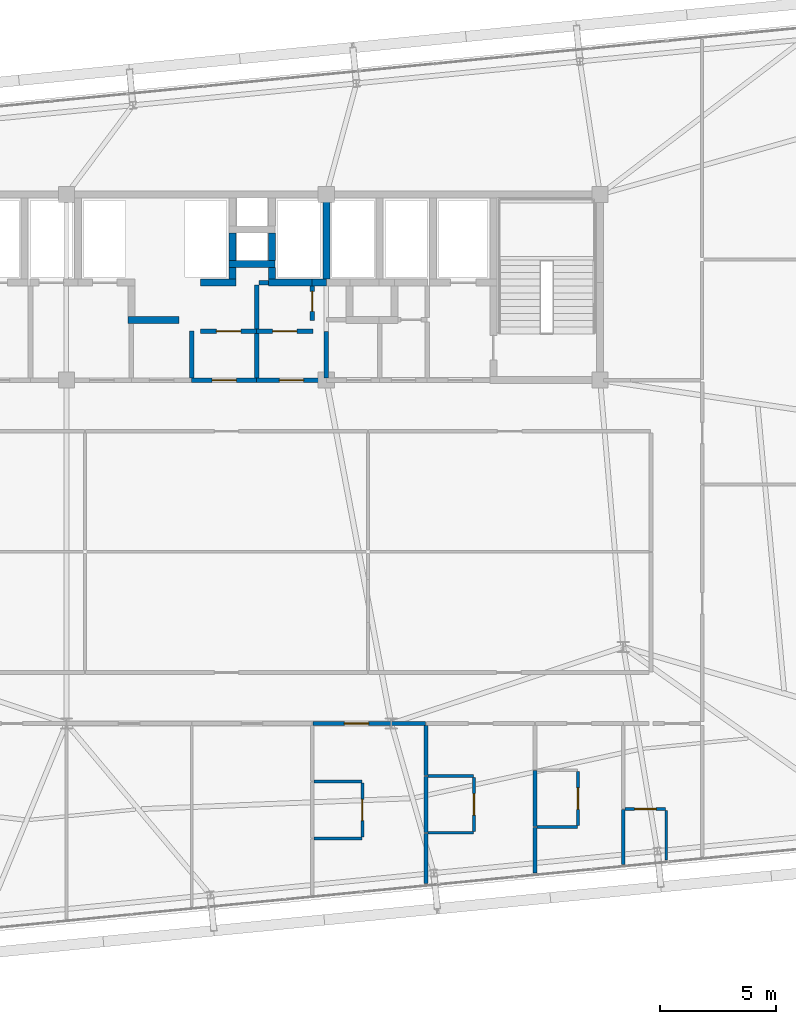
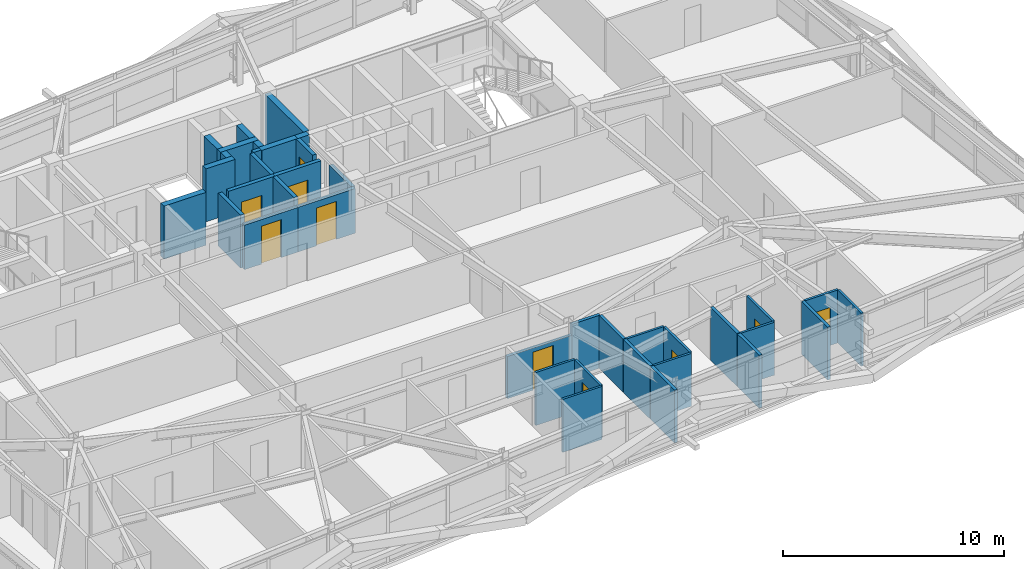
# One storey, part 48 of 54: 38 walls, 10 doors, 10 openings.
"""IFC4 building model written with IfcOpenShell, lengths in metres."""

from ifc_helpers import new_model, si_unit, direction, frame, frame_2d, origin, place, context, subcontext, project, spatial, rectangle, extrude, source, transform, mapped, material, layer, layer_set, type_object, element, fill, save


model = new_model("IFC4")

# Units and contexts
model_context = context("Model", 3, precision=1e-05, world=origin(), true_north=direction((0.0, 1.0)))
body_context = subcontext(model_context, "Body", "Model", "MODEL_VIEW")
ifc_project = project(units=[si_unit("LENGTHUNIT", "METRE"), si_unit("AREAUNIT", "SQUARE_METRE"), si_unit("VOLUMEUNIT", "CUBIC_METRE"), si_unit("PLANEANGLEUNIT", "RADIAN"), si_unit("MASSUNIT", "GRAM", prefix="KILO")], contexts=[model_context])

# Site, building, storey
site_placement = place(None, origin())
site = spatial("IfcSite", under=ifc_project, at=site_placement, CompositionType="ELEMENT")
building_placement = place(site_placement, origin())
building = spatial("IfcBuilding", under=site, at=building_placement, Name="Taldren Reach Tower", CompositionType="ELEMENT")
storey_placement = place(building_placement, frame((0.0, 0.0, 99.75)))
storey = spatial("IfcBuildingStorey", under=building, at=storey_placement, Name="L30", CompositionType="ELEMENT", Elevation=99.75)

# Wall
ifc_material_1 = material(Name="Concrete S50 (50 MPa)", Category="concrete")
ifc_layer_1 = layer(ifc_material_1, 0.199951171875)
ifc_layer_set_1 = layer_set([ifc_layer_1], Name="Concrete S50 (50 MPa)")
wall_type_1 = type_object("IfcWallType", Name="IW-CORE-200", PredefinedType="SOLIDWALL", material=ifc_layer_set_1)
shared_shape_1 = source(origin(), body_context, "Body", "SweptSolid", [
    extrude(rectangle(XDim=2.0, YDim=0.199951171875, at=frame_2d((1.0, 0.0))), origin(), (0.0, 0.0, 1.0), 2.469970703125),
])
wall_1_placement = place(storey_placement, frame((39.199951171875, 26.10009765625, 0.0), z_axis=(0.0, 0.0, 1.0), x_axis=(0.0, -1.0, 0.0)))
element("IfcWall", 1, at=wall_1_placement, inside=storey, type_object=wall_type_1, Name="Rear Core Shear Wall W-INT-L30-052", PredefinedType="SOLIDWALL", context=body_context, shape_type="MappedRepresentation", body=[
    mapped(shared_shape_1, transform((0.0, 0.0, 0.0), scale=1.0)),
])

# Wall, opening, door
ifc_material_2 = material(Name="Insulated Residential Stud Partition", Category="gypsum")
ifc_layer_2 = layer(ifc_material_2, 0.1201171875)
ifc_layer_set_2 = layer_set([ifc_layer_2], Name="Insulated Residential Stud Partition")
wall_type_2 = type_object("IfcWallType", Name="IW-PART-120", PredefinedType="PARTITIONING", material=ifc_layer_set_2)
shared_shape_2 = source(origin(), body_context, "Body", "SweptSolid", [
    extrude(rectangle(XDim=2.330078125, YDim=0.1201171875, at=frame_2d((1.1650390625, 0.0))), origin(), (0.0, 0.0, 1.0), 2.929931640625),
])
wall_2_placement = place(storey_placement, frame((40.756103515625, 4.30810546875, 0.0), z_axis=(0.0, 0.0, 1.0), x_axis=(0.0, 1.0, 0.0)))
wall_2 = element("IfcWall", 2, at=wall_2_placement, inside=storey, type_object=wall_type_2, Name="Interior Partition Wall W-INT-L30-110", PredefinedType="PARTITIONING", context=body_context, shape_type="MappedRepresentation", body=[
    mapped(shared_shape_2, transform((0.0, 0.0, 0.0), scale=1.0)),
])
shared_shape_3 = source(origin(), body_context, "Body", "SweptSolid", [
    extrude(rectangle(XDim=0.919921875, YDim=2.10009765625, at=frame_2d((0.4599609375, 1.050048828125))), frame((0.0, 0.070068359375, 0.0), z_axis=(0.0, -1.0, 0.0), x_axis=(1.0, 0.0, 0.0)), (0.0, 0.0, 1.0), 0.14013671875),
])
opening_1_placement = place(wall_2_placement, frame((0.705078125, 0.0, 0.0)))
opening_1 = element("IfcOpeningElement", 3, at=opening_1_placement, cuts=wall_2, Name="Opening DI-092", PredefinedType="OPENING", context=body_context, shape_type="MappedRepresentation", body=[
    mapped(shared_shape_3, transform((0.0, 0.0, 0.0), scale=1.0)),
])
ifc_material_3 = material(Name="Solid-Core Timber Suite Door", Category="wood")
door_type_1 = type_object("IfcDoorType", Name="ID-INT-092", OperationType="NOTDEFINED", PredefinedType="DOOR", material=ifc_material_3)
shared_shape_4 = source(origin(), body_context, "Body", "SweptSolid", [
    extrude(rectangle(XDim=0.919921875, YDim=2.10009765625, at=frame_2d((0.4599609375, 1.050048828125))), frame((0.0, 0.02490234375, 0.0), z_axis=(0.0, -1.0, 0.0), x_axis=(1.0, 0.0, 0.0)), (0.0, 0.0, 1.0), 0.050048828125),
])
door_1_placement = place(opening_1_placement, origin())
door_1 = element("IfcDoor", 4, at=door_1_placement, inside=storey, type_object=door_type_1, Name="Interior Door DR-L30-036", OperationType="SINGLE_SWING_LEFT", OverallHeight=2.10009765625, OverallWidth=0.919921875, PredefinedType="DOOR", context=body_context, shape_type="MappedRepresentation", body=[
    mapped(shared_shape_4, transform((0.0, 0.0, 0.0), scale=1.0)),
])
fill(opening_1, door_1)

wall_3_placement = place(storey_placement, frame((45.568115234375, 4.54833984375, 0.0), z_axis=(0.0, 0.0, 1.0), x_axis=(0.0, 1.0, 0.0)))
wall_3 = element("IfcWall", 5, at=wall_3_placement, inside=storey, type_object=wall_type_2, Name="Interior Partition Wall W-INT-L30-116", PredefinedType="PARTITIONING", context=body_context, shape_type="MappedRepresentation", body=[
    mapped(shared_shape_2, transform((0.0, 0.0, 0.0), scale=1.0)),
])
opening_2_placement = place(wall_3_placement, frame((0.705078125, 0.0, 0.0)))
opening_2 = element("IfcOpeningElement", 6, at=opening_2_placement, cuts=wall_3, Name="Opening DI-092", PredefinedType="OPENING", context=body_context, shape_type="MappedRepresentation", body=[
    mapped(shared_shape_3, transform((0.0, 0.0, 0.0), scale=1.0)),
])
door_2_placement = place(opening_2_placement, origin())
door_2 = element("IfcDoor", 7, at=door_2_placement, inside=storey, type_object=door_type_1, Name="Interior Door DR-L30-037", OperationType="SINGLE_SWING_RIGHT", OverallHeight=2.10009765625, OverallWidth=0.919921875, PredefinedType="DOOR", context=body_context, shape_type="MappedRepresentation", body=[
    mapped(shared_shape_4, transform((0.0, 0.0, 0.0), scale=1.0)),
])
fill(opening_2, door_2)

wall_4_placement = place(storey_placement, frame((50.050048828125, 4.797607421875, 0.0), z_axis=(0.0, 0.0, 1.0), x_axis=(0.0, 1.0, 0.0)))
wall_4 = element("IfcWall", 8, at=wall_4_placement, inside=storey, type_object=wall_type_2, Name="Interior Partition Wall W-INT-L30-122", PredefinedType="PARTITIONING", context=body_context, shape_type="MappedRepresentation", body=[
    mapped(shared_shape_2, transform((0.0, 0.0, 0.0), scale=1.0)),
])
opening_3_placement = place(wall_4_placement, frame((0.705078125, 0.0, 0.0)))
opening_3 = element("IfcOpeningElement", 9, at=opening_3_placement, cuts=wall_4, Name="Opening DI-092", PredefinedType="OPENING", context=body_context, shape_type="MappedRepresentation", body=[
    mapped(shared_shape_3, transform((0.0, 0.0, 0.0), scale=1.0)),
])
door_3_placement = place(opening_3_placement, origin())
door_3 = element("IfcDoor", 10, at=door_3_placement, inside=storey, type_object=door_type_1, Name="Interior Door DR-L30-038", OperationType="SINGLE_SWING_LEFT", OverallHeight=2.10009765625, OverallWidth=0.919921875, PredefinedType="DOOR", context=body_context, shape_type="MappedRepresentation", body=[
    mapped(shared_shape_4, transform((0.0, 0.0, 0.0), scale=1.0)),
])
fill(opening_3, door_3)

# Wall
shared_shape_5 = source(origin(), body_context, "Body", "SweptSolid", [
    extrude(rectangle(XDim=1.749755859375, YDim=0.1201171875, at=frame_2d((0.875, 0.0))), origin(), (0.0, 0.0, 1.0), 2.929931640625),
])
wall_5_placement = place(storey_placement, frame((48.280029296875, 4.73779296875, 0.0), z_axis=(0.0, 0.0, 1.0), x_axis=(1.0, 0.0, 0.0)))
element("IfcWall", 11, at=wall_5_placement, inside=storey, type_object=wall_type_2, Name="Interior Partition Wall W-INT-L30-123", PredefinedType="PARTITIONING", context=body_context, shape_type="MappedRepresentation", body=[
    mapped(shared_shape_5, transform((0.0, 0.0, 0.0), scale=1.0)),
])

# Wall, opening, door
wall_6_placement = place(storey_placement, frame((53.829833984375, 5.51025390625, 0.0), z_axis=(0.0, 0.0, 1.0), x_axis=(-1.0, 0.0, 0.0)))
wall_6 = element("IfcWall", 12, at=wall_6_placement, inside=storey, type_object=wall_type_2, Name="Interior Partition Wall W-INT-L30-128", PredefinedType="PARTITIONING", context=body_context, shape_type="MappedRepresentation", body=[
    mapped(shared_shape_5, transform((0.0, 0.0, 0.0), scale=1.0)),
])
opening_4_placement = place(wall_6_placement, frame((0.414794921875, 0.0, 0.0)))
opening_4 = element("IfcOpeningElement", 13, at=opening_4_placement, cuts=wall_6, Name="Opening DI-092", PredefinedType="OPENING", context=body_context, shape_type="MappedRepresentation", body=[
    mapped(shared_shape_3, transform((0.0, 0.0, 0.0), scale=1.0)),
])
door_4_placement = place(opening_4_placement, origin())
door_4 = element("IfcDoor", 14, at=door_4_placement, inside=storey, type_object=door_type_1, Name="Interior Door DR-L30-039", OperationType="SINGLE_SWING_RIGHT", OverallHeight=2.10009765625, OverallWidth=0.919921875, PredefinedType="DOOR", context=body_context, shape_type="MappedRepresentation", body=[
    mapped(shared_shape_4, transform((0.0, 0.0, 0.0), scale=1.0)),
])
fill(opening_4, door_4)

# Walls
ifc_material_4 = material(Name="Fire-Rated Acoustic Plasterboard Stud Wall", Category="gypsum")
ifc_layer_3 = layer(ifc_material_4, 0.159912109375)
ifc_layer_set_3 = layer_set([ifc_layer_3], Name="Fire-Rated Acoustic Plasterboard Stud Wall")
wall_type_3 = type_object("IfcWallType", Name="IW-FIRE-160", PredefinedType="PARTITIONING", material=ifc_layer_set_3)
shared_shape_6 = source(origin(), body_context, "Body", "SweptSolid", [
    extrude(rectangle(XDim=2.40966796875, YDim=0.159912109375, at=frame_2d((1.204833984375, 0.0))), origin(), (0.0, 0.0, 1.0), 2.929931640625),
])
for number, where, z_axis, x_axis, name in (
    (15, (43.5, 6.918212890625, 0.0), (0.0, 0.0, 1.0), (0.0, -1.0, 0.0), "Interior Partition Wall W-INT-L30-115"),
    (16, (48.199951171875, 7.16748046875, 0.0), (0.0, 0.0, 1.0), (0.0, -1.0, 0.0), "Interior Partition Wall W-INT-L30-121"),
):
    element("IfcWall", number, at=place(storey_placement, frame(where, z_axis=z_axis, x_axis=x_axis)), inside=storey, type_object=wall_type_3, Name=name, PredefinedType="PARTITIONING", context=body_context, shape_type="MappedRepresentation", body=[
        mapped(shared_shape_6, transform((0.0, 0.0, 0.0), scale=1.0)),
    ])
shared_shape_7 = source(origin(), body_context, "Body", "SweptSolid", [
    extrude(rectangle(XDim=1.9677734375, YDim=0.1201171875, at=frame_2d((0.98388671875, 0.0))), origin(), (0.0, 0.0, 1.0), 2.929931640625),
])
for number, where, z_axis, x_axis, name in (
    (17, (43.580078125, 4.48828125, 0.0), (0.0, 0.0, 1.0), (1.0, 0.0, 0.0), "Interior Partition Wall W-INT-L30-117"),
    (18, (45.5478515625, 6.9384765625, 0.0), (0.0, 0.0, 1.0), (-1.0, 0.0, 0.0), "Interior Partition Wall W-INT-L30-118"),
):
    element("IfcWall", number, at=place(storey_placement, frame(where, z_axis=z_axis, x_axis=x_axis)), inside=storey, type_object=wall_type_2, Name=name, PredefinedType="PARTITIONING", context=body_context, shape_type="MappedRepresentation", body=[
        mapped(shared_shape_7, transform((0.0, 0.0, 0.0), scale=1.0)),
    ])
shared_shape_8 = source(origin(), body_context, "Body", "SweptSolid", [
    extrude(rectangle(XDim=2.02001953125, YDim=0.199951171875, at=frame_2d((1.010009765625, 0.0))), origin(), (0.0, 0.0, 1.0), 2.929931640625),
])
wall_7_placement = place(storey_placement, frame((33.39990234375, 26.1201171875, 0.0), z_axis=(0.0, 0.0, 1.0), x_axis=(0.0, -1.0, 0.0)))
element("IfcWall", 19, at=wall_7_placement, inside=storey, type_object=wall_type_1, Name="Rear Core Shear Wall W-INT-L30-044", PredefinedType="SOLIDWALL", context=body_context, shape_type="MappedRepresentation", body=[
    mapped(shared_shape_8, transform((0.0, 0.0, 0.0), scale=1.0)),
])

# Wall, opening, door
shared_shape_9 = source(origin(), body_context, "Body", "SweptSolid", [
    extrude(rectangle(XDim=2.419921875, YDim=0.199951171875, at=frame_2d((1.2099609375, 0.0))), origin(), (0.0, 0.0, 1.0), 2.929931640625),
])
wall_8_placement = place(storey_placement, frame((33.780029296875, 26.10009765625, 0.0), z_axis=(0.0, 0.0, 1.0), x_axis=(1.0, 0.0, 0.0)))
wall_8 = element("IfcWall", 20, at=wall_8_placement, inside=storey, type_object=wall_type_1, Name="Rear Core Shear Wall W-INT-L30-046", PredefinedType="SOLIDWALL", context=body_context, shape_type="MappedRepresentation", body=[
    mapped(shared_shape_9, transform((0.0, 0.0, 0.0), scale=1.0)),
])
shared_shape_10 = source(origin(), body_context, "Body", "SweptSolid", [
    extrude(rectangle(XDim=1.050048828125, YDim=2.10009765625, at=frame_2d((0.52490234375, 1.050048828125))), frame((0.0, 0.10986328125, 0.0), z_axis=(0.0, -1.0, 0.0), x_axis=(1.0, 0.0, 0.0)), (0.0, 0.0, 1.0), 0.219970703125),
])
opening_5_placement = place(wall_8_placement, frame((0.68505859375, 0.0, 0.0)))
opening_5 = element("IfcOpeningElement", 21, at=opening_5_placement, cuts=wall_8, Name="Opening DF-105", PredefinedType="OPENING", context=body_context, shape_type="MappedRepresentation", body=[
    mapped(shared_shape_10, transform((0.0, 0.0, 0.0), scale=1.0)),
])
ifc_material_5 = material(Name="Fire-Rated Care and Stair Exit Door")
door_type_2 = type_object("IfcDoorType", Name="ID-FIRE-105", OperationType="NOTDEFINED", PredefinedType="DOOR", material=ifc_material_5)
shared_shape_11 = source(origin(), body_context, "Body", "SweptSolid", [
    extrude(rectangle(XDim=1.050048828125, YDim=2.10009765625, at=frame_2d((0.52490234375, 1.050048828125))), frame((0.0, 0.02490234375, 0.0), z_axis=(0.0, -1.0, 0.0), x_axis=(1.0, 0.0, 0.0)), (0.0, 0.0, 1.0), 0.050048828125),
])
door_5_placement = place(opening_5_placement, origin())
door_5 = element("IfcDoor", 22, at=door_5_placement, inside=storey, type_object=door_type_2, Name="Interior Door DR-L30-007", OperationType="SINGLE_SWING_RIGHT", OverallHeight=2.10009765625, OverallWidth=1.050048828125, PredefinedType="DOOR", context=body_context, shape_type="MappedRepresentation", body=[
    mapped(shared_shape_11, transform((0.0, 0.0, 0.0), scale=1.0)),
])
fill(opening_5, door_5)

# Wall
shared_shape_12 = source(origin(), body_context, "Body", "SweptSolid", [
    extrude(rectangle(XDim=1.89990234375, YDim=0.199951171875, at=frame_2d((0.949951171875, 0.0))), origin(), (0.0, 0.0, 1.0), 2.929931640625),
])
wall_9_placement = place(storey_placement, frame((36.199951171875, 26.0, 0.0), z_axis=(0.0, 0.0, 1.0), x_axis=(0.0, -1.0, 0.0)))
element("IfcWall", 23, at=wall_9_placement, inside=storey, type_object=wall_type_1, Name="Rear Core Shear Wall W-INT-L30-047", PredefinedType="SOLIDWALL", context=body_context, shape_type="MappedRepresentation", body=[
    mapped(shared_shape_12, transform((0.0, 0.0, 0.0), scale=1.0)),
])

# Wall, opening, door
shared_shape_13 = source(origin(), body_context, "Body", "SweptSolid", [
    extrude(rectangle(XDim=2.800048828125, YDim=0.199951171875, at=frame_2d((1.39990234375, 0.0))), origin(), (0.0, 0.0, 1.0), 2.469970703125),
])
wall_10_placement = place(storey_placement, frame((36.199951171875, 24.0, 0.0), z_axis=(0.0, 0.0, 1.0), x_axis=(-1.0, 0.0, 0.0)))
wall_10 = element("IfcWall", 24, at=wall_10_placement, inside=storey, type_object=wall_type_1, Name="Rear Core Shear Wall W-INT-L30-048", PredefinedType="SOLIDWALL", context=body_context, shape_type="MappedRepresentation", body=[
    mapped(shared_shape_13, transform((0.0, 0.0, 0.0), scale=1.0)),
])
opening_6_placement = place(wall_10_placement, frame((0.875, 0.0, 0.0)))
opening_6 = element("IfcOpeningElement", 25, at=opening_6_placement, cuts=wall_10, Name="Opening DF-105", PredefinedType="OPENING", context=body_context, shape_type="MappedRepresentation", body=[
    mapped(shared_shape_10, transform((0.0, 0.0, 0.0), scale=1.0)),
])
door_6_placement = place(opening_6_placement, frame((1.050048828125, 0.0, 0.0), z_axis=(0.0, 0.0, 1.0), x_axis=(-1.0, 0.0, 0.0)))
door_6 = element("IfcDoor", 26, at=door_6_placement, inside=storey, type_object=door_type_2, Name="Interior Door DR-L30-008", OperationType="SINGLE_SWING_RIGHT", OverallHeight=2.10009765625, OverallWidth=1.050048828125, PredefinedType="DOOR", context=body_context, shape_type="MappedRepresentation", body=[
    mapped(shared_shape_11, transform((0.0, 0.0, 0.0), scale=1.0)),
])
fill(opening_6, door_6)

# Wall
shared_shape_14 = source(origin(), body_context, "Body", "SweptSolid", [
    extrude(rectangle(XDim=1.900146484375, YDim=0.199951171875, at=frame_2d((0.9501953125, 0.0))), origin(), (0.0, 0.0, 1.0), 2.929931640625),
])
wall_11_placement = place(storey_placement, frame((36.199951171875, 28.10009765625, 0.0), z_axis=(0.0, 0.0, 1.0), x_axis=(0.0, -1.0, 0.0)))
element("IfcWall", 27, at=wall_11_placement, inside=storey, type_object=wall_type_1, Name="Rear Core Shear Wall W-INT-L30-049", PredefinedType="SOLIDWALL", context=body_context, shape_type="MappedRepresentation", body=[
    mapped(shared_shape_14, transform((0.0, 0.0, 0.0), scale=1.0)),
])

# Wall, opening, door
shared_shape_15 = source(origin(), body_context, "Body", "SweptSolid", [
    extrude(rectangle(XDim=2.420166015625, YDim=0.199951171875, at=frame_2d((1.2099609375, 0.0))), origin(), (0.0, 0.0, 1.0), 2.929931640625),
])
wall_12_placement = place(storey_placement, frame((36.199951171875, 26.10009765625, 0.0), z_axis=(0.0, 0.0, 1.0), x_axis=(1.0, 0.0, 0.0)))
wall_12 = element("IfcWall", 28, at=wall_12_placement, inside=storey, type_object=wall_type_1, Name="Rear Core Shear Wall W-INT-L30-051", PredefinedType="SOLIDWALL", context=body_context, shape_type="MappedRepresentation", body=[
    mapped(shared_shape_15, transform((0.0, 0.0, 0.0), scale=1.0)),
])
opening_7_placement = place(wall_12_placement, frame((0.68505859375, 0.0, 0.0)))
opening_7 = element("IfcOpeningElement", 29, at=opening_7_placement, cuts=wall_12, Name="Opening DF-105", PredefinedType="OPENING", context=body_context, shape_type="MappedRepresentation", body=[
    mapped(shared_shape_10, transform((0.0, 0.0, 0.0), scale=1.0)),
])
door_7_placement = place(opening_7_placement, origin())
door_7 = element("IfcDoor", 30, at=door_7_placement, inside=storey, type_object=door_type_2, Name="Interior Door DR-L30-009", OperationType="SINGLE_SWING_RIGHT", OverallHeight=2.10009765625, OverallWidth=1.050048828125, PredefinedType="DOOR", context=body_context, shape_type="MappedRepresentation", body=[
    mapped(shared_shape_11, transform((0.0, 0.0, 0.0), scale=1.0)),
])
fill(opening_7, door_7)

shared_shape_16 = source(origin(), body_context, "Body", "SweptSolid", [
    extrude(rectangle(XDim=3.0, YDim=0.199951171875, at=frame_2d((1.5, 0.0))), origin(), (0.0, 0.0, 1.0), 2.469970703125),
])
wall_13_placement = place(storey_placement, frame((39.199951171875, 24.0, 0.0), z_axis=(0.0, 0.0, 1.0), x_axis=(-1.0, 0.0, 0.0)))
wall_13 = element("IfcWall", 31, at=wall_13_placement, inside=storey, type_object=wall_type_1, Name="Rear Core Shear Wall W-INT-L30-053", PredefinedType="SOLIDWALL", context=body_context, shape_type="MappedRepresentation", body=[
    mapped(shared_shape_16, transform((0.0, 0.0, 0.0), scale=1.0)),
])
opening_8_placement = place(wall_13_placement, frame((0.97509765625, 0.0, 0.0)))
opening_8 = element("IfcOpeningElement", 32, at=opening_8_placement, cuts=wall_13, Name="Opening DF-105", PredefinedType="OPENING", context=body_context, shape_type="MappedRepresentation", body=[
    mapped(shared_shape_10, transform((0.0, 0.0, 0.0), scale=1.0)),
])
door_8_placement = place(opening_8_placement, frame((1.050048828125, 0.0, 0.0), z_axis=(0.0, 0.0, 1.0), x_axis=(-1.0, 0.0, 0.0)))
door_8 = element("IfcDoor", 33, at=door_8_placement, inside=storey, type_object=door_type_2, Name="Interior Door DR-L30-010", OperationType="SINGLE_SWING_RIGHT", OverallHeight=2.10009765625, OverallWidth=1.050048828125, PredefinedType="DOOR", context=body_context, shape_type="MappedRepresentation", body=[
    mapped(shared_shape_11, transform((0.0, 0.0, 0.0), scale=1.0)),
])
fill(opening_8, door_8)

# Walls
shared_shape_17 = source(origin(), body_context, "Body", "SweptSolid", [
    extrude(rectangle(XDim=2.055908203125, YDim=0.1201171875, at=frame_2d((1.02783203125, 0.0))), origin(), (0.0, 0.0, 1.0), 2.929931640625),
])
for number, where, z_axis, x_axis, name in (
    (34, (38.679931640625, 4.248291015625, 0.0), (0.0, 0.0, 1.0), (1.0, 0.0, 0.0), "Interior Partition Wall W-INT-L30-111"),
    (35, (40.73583984375, 6.6982421875, 0.0), (0.0, 0.0, 1.0), (-1.0, 0.0, 0.0), "Interior Partition Wall W-INT-L30-112"),
):
    element("IfcWall", number, at=place(storey_placement, frame(where, z_axis=z_axis, x_axis=x_axis)), inside=storey, type_object=wall_type_2, Name=name, PredefinedType="PARTITIONING", context=body_context, shape_type="MappedRepresentation", body=[
        mapped(shared_shape_17, transform((0.0, 0.0, 0.0), scale=1.0)),
    ])
ifc_material_6 = material(Name="Concrete S65 (65 MPa)", Category="concrete")
ifc_layer_4 = layer(ifc_material_6, 0.300048828125)
ifc_layer_set_4 = layer_set([ifc_layer_4], Name="Concrete S65 (65 MPa)")
wall_type_4 = type_object("IfcWallType", Name="IW-CORE-300", PredefinedType="SHEAR", material=ifc_layer_set_4)
shared_shape_18 = source(origin(), body_context, "Body", "SweptSolid", [
    extrude(rectangle(XDim=3.5, YDim=0.300048828125, at=frame_2d((1.75, 0.0))), origin(), (0.0, 0.0, 1.0), 2.929931640625),
])
wall_14_placement = place(storey_placement, frame((39.199951171875, 28.35009765625, 0.0), z_axis=(0.0, 0.0, 1.0), x_axis=(0.0, 1.0, 0.0)))
element("IfcWall", 36, at=wall_14_placement, inside=storey, type_object=wall_type_4, Name="Rear Core Shear Wall W-INT-L30-037", PredefinedType="SHEAR", context=body_context, shape_type="MappedRepresentation", body=[
    mapped(shared_shape_18, transform((0.0, 0.0, 0.0), scale=1.0)),
])
shared_shape_19 = source(origin(), body_context, "Body", "SweptSolid", [
    extrude(rectangle(XDim=2.0, YDim=0.300048828125, at=frame_2d((1.0, 0.0))), origin(), (0.0, 0.0, 1.0), 2.929931640625),
])
wall_15_placement = place(storey_placement, frame((35.0, 29.0, 0.0), z_axis=(0.0, 0.0, 1.0), x_axis=(1.0, 0.0, 0.0)))
element("IfcWall", 37, at=wall_15_placement, inside=storey, type_object=wall_type_4, Name="Rear Core Shear Wall W-INT-L30-021", PredefinedType="SHEAR", context=body_context, shape_type="MappedRepresentation", body=[
    mapped(shared_shape_19, transform((0.0, 0.0, 0.0), scale=1.0)),
])
shared_shape_20 = source(origin(), body_context, "Body", "SweptSolid", [
    extrude(rectangle(XDim=1.2001953125, YDim=0.300048828125, at=frame_2d((0.60009765625, 0.0))), origin(), (0.0, 0.0, 1.0), 2.929931640625),
])
for number, where, z_axis, x_axis, name in (
    (38, (35.14990234375, 30.35009765625, 0.0), (0.0, 0.0, 1.0), (0.0, -1.0, 0.0), "Rear Core Shear Wall W-INT-L30-019"),
    (39, (36.85009765625, 29.14990234375, 0.0), (0.0, 0.0, 1.0), (0.0, 1.0, 0.0), "Rear Core Shear Wall W-INT-L30-020"),
):
    element("IfcWall", number, at=place(storey_placement, frame(where, z_axis=z_axis, x_axis=x_axis)), inside=storey, type_object=wall_type_4, Name=name, PredefinedType="SHEAR", context=body_context, shape_type="MappedRepresentation", body=[
        mapped(shared_shape_20, transform((0.0, 0.0, 0.0), scale=1.0)),
    ])
shared_shape_21 = source(origin(), body_context, "Body", "SweptSolid", [
    extrude(rectangle(XDim=2.2001953125, YDim=0.300048828125, at=frame_2d((1.10009765625, 0.0))), origin(), (0.0, 0.0, 1.0), 2.929931640625),
])
wall_16_placement = place(storey_placement, frame((30.64990234375, 26.60009765625, 0.0), z_axis=(0.0, 0.0, 1.0), x_axis=(1.0, 0.0, 0.0)))
element("IfcWall", 40, at=wall_16_placement, inside=storey, type_object=wall_type_4, Name="Rear Core Shear Wall W-INT-L30-023", PredefinedType="SHEAR", context=body_context, shape_type="MappedRepresentation", body=[
    mapped(shared_shape_21, transform((0.0, 0.0, 0.0), scale=1.0)),
])
shared_shape_22 = source(origin(), body_context, "Body", "SweptSolid", [
    extrude(rectangle(XDim=1.52001953125, YDim=0.300048828125, at=frame_2d((0.760009765625, 0.0))), origin(), (0.0, 0.0, 1.0), 2.929931640625),
])
wall_17_placement = place(storey_placement, frame((33.780029296875, 28.199951171875, 0.0), z_axis=(0.0, 0.0, 1.0), x_axis=(1.0, 0.0, 0.0)))
element("IfcWall", 41, at=wall_17_placement, inside=storey, type_object=wall_type_4, Name="Rear Core Shear Wall W-INT-L30-035", PredefinedType="SHEAR", context=body_context, shape_type="MappedRepresentation", body=[
    mapped(shared_shape_22, transform((0.0, 0.0, 0.0), scale=1.0)),
])
shared_shape_23 = source(origin(), body_context, "Body", "SweptSolid", [
    extrude(rectangle(XDim=0.5, YDim=0.300048828125, at=frame_2d((0.25, 0.0))), origin(), (0.0, 0.0, 1.0), 2.929931640625),
])
for number, where, z_axis, x_axis, name in (
    (42, (35.14990234375, 28.35009765625, 0.0), (0.0, 0.0, 1.0), (0.0, 1.0, 0.0), "Rear Core Shear Wall W-INT-L30-036"),
    (43, (36.85009765625, 28.85009765625, 0.0), (0.0, 0.0, 1.0), (0.0, -1.0, 0.0), "Rear Core Shear Wall W-INT-L30-038"),
):
    element("IfcWall", number, at=place(storey_placement, frame(where, z_axis=z_axis, x_axis=x_axis)), inside=storey, type_object=wall_type_4, Name=name, PredefinedType="SHEAR", context=body_context, shape_type="MappedRepresentation", body=[
        mapped(shared_shape_23, transform((0.0, 0.0, 0.0), scale=1.0)),
    ])
shared_shape_24 = source(origin(), body_context, "Body", "SweptSolid", [
    extrude(rectangle(XDim=1.920166015625, YDim=0.300048828125, at=frame_2d((0.9599609375, 0.0))), origin(), (0.0, 0.0, 1.0), 2.929931640625),
])
wall_18_placement = place(storey_placement, frame((36.699951171875, 28.199951171875, 0.0), z_axis=(0.0, 0.0, 1.0), x_axis=(1.0, 0.0, 0.0)))
element("IfcWall", 44, at=wall_18_placement, inside=storey, type_object=wall_type_4, Name="Rear Core Shear Wall W-INT-L30-039", PredefinedType="SHEAR", context=body_context, shape_type="MappedRepresentation", body=[
    mapped(shared_shape_24, transform((0.0, 0.0, 0.0), scale=1.0)),
])
shared_shape_25 = source(origin(), body_context, "Body", "SweptSolid", [
    extrude(rectangle(XDim=0.619873046875, YDim=0.300048828125, at=frame_2d((0.31005859375, 0.0))), origin(), (0.0, 0.0, 1.0), 2.929931640625),
])
wall_19_placement = place(storey_placement, frame((38.580078125, 28.199951171875, 0.0), z_axis=(0.0, 0.0, 1.0), x_axis=(1.0, 0.0, 0.0)))
element("IfcWall", 45, at=wall_19_placement, inside=storey, type_object=wall_type_4, Name="Rear Core Shear Wall W-INT-L30-040", PredefinedType="SHEAR", context=body_context, shape_type="MappedRepresentation", body=[
    mapped(shared_shape_25, transform((0.0, 0.0, 0.0), scale=1.0)),
])
shared_shape_26 = source(origin(), body_context, "Body", "SweptSolid", [
    extrude(rectangle(XDim=0.39990234375, YDim=0.199951171875, at=frame_2d((0.199951171875, 0.0))), origin(), (0.0, 0.0, 1.0), 2.929931640625),
])
wall_20_placement = place(storey_placement, frame((36.699951171875, 28.199951171875, 0.0), z_axis=(0.0, 0.0, 1.0), x_axis=(-1.0, 0.0, 0.0)))
element("IfcWall", 46, at=wall_20_placement, inside=storey, type_object=wall_type_1, Name="Rear Core Shear Wall W-INT-L30-050", PredefinedType="SOLIDWALL", context=body_context, shape_type="MappedRepresentation", body=[
    mapped(shared_shape_26, transform((0.0, 0.0, 0.0), scale=1.0)),
])

# Wall, opening, door
shared_shape_27 = source(origin(), body_context, "Body", "SweptSolid", [
    extrude(rectangle(XDim=1.469970703125, YDim=0.199951171875, at=frame_2d((0.73486328125, 0.0))), origin(), (0.0, 0.0, 1.0), 2.929931640625),
])
wall_21_placement = place(storey_placement, frame((38.60009765625, 28.050048828125, 0.0), z_axis=(0.0, 0.0, 1.0), x_axis=(0.0, -1.0, 0.0)))
wall_21 = element("IfcWall", 47, at=wall_21_placement, inside=storey, type_object=wall_type_1, Name="Rear Core Shear Wall W-INT-L30-054", PredefinedType="SOLIDWALL", context=body_context, shape_type="MappedRepresentation", body=[
    mapped(shared_shape_27, transform((0.0, 0.0, 0.0), scale=1.0)),
])
shared_shape_28 = source(origin(), body_context, "Body", "SweptSolid", [
    extrude(rectangle(XDim=0.860107421875, YDim=2.10009765625, at=frame_2d((0.43017578125, 1.050048828125))), frame((0.0, 0.10986328125, 0.0), z_axis=(0.0, -1.0, 0.0), x_axis=(1.0, 0.0, 0.0)), (0.0, 0.0, 1.0), 0.219970703125),
])
opening_9_placement = place(wall_21_placement, frame((0.22998046875, 0.0, 0.0)))
opening_9 = element("IfcOpeningElement", 48, at=opening_9_placement, cuts=wall_21, Name="Opening DI-086", PredefinedType="OPENING", context=body_context, shape_type="MappedRepresentation", body=[
    mapped(shared_shape_28, transform((0.0, 0.0, 0.0), scale=1.0)),
])
ifc_material_7 = material(Name="Timber Bathroom Door", Category="wood")
door_type_3 = type_object("IfcDoorType", Name="ID-INT-086", OperationType="NOTDEFINED", PredefinedType="DOOR", material=ifc_material_7)
shared_shape_29 = source(origin(), body_context, "Body", "SweptSolid", [
    extrude(rectangle(XDim=0.860107421875, YDim=2.10009765625, at=frame_2d((0.43017578125, 1.050048828125))), frame((0.0, 0.02490234375, 0.0), z_axis=(0.0, -1.0, 0.0), x_axis=(1.0, 0.0, 0.0)), (0.0, 0.0, 1.0), 0.050048828125),
])
door_9_placement = place(opening_9_placement, origin())
door_9 = element("IfcDoor", 49, at=door_9_placement, inside=storey, type_object=door_type_3, Name="Interior Door DR-L30-041", OperationType="SINGLE_SWING_RIGHT", OverallHeight=2.10009765625, OverallWidth=0.860107421875, PredefinedType="DOOR", context=body_context, shape_type="MappedRepresentation", body=[
    mapped(shared_shape_29, transform((0.0, 0.0, 0.0), scale=1.0)),
])
fill(opening_9, door_9)

# Walls
shared_shape_30 = source(origin(), body_context, "Body", "SweptSolid", [
    extrude(rectangle(XDim=2.363525390625, YDim=0.159912109375, at=frame_2d((1.181640625, 0.0))), origin(), (0.0, 0.0, 1.0), 2.929931640625),
])
wall_22_placement = place(storey_placement, frame((52.0, 5.489990234375, 0.0), z_axis=(0.0, 0.0, 1.0), x_axis=(0.0, -1.0, 0.0)))
element("IfcWall", 50, at=wall_22_placement, inside=storey, type_object=wall_type_3, Name="Interior Partition Wall W-INT-L30-126", PredefinedType="PARTITIONING", context=body_context, shape_type="MappedRepresentation", body=[
    mapped(shared_shape_30, transform((0.0, 0.0, 0.0), scale=1.0)),
])
shared_shape_31 = source(origin(), body_context, "Body", "SweptSolid", [
    extrude(rectangle(XDim=2.12841796875, YDim=0.1201171875, at=frame_2d((1.064208984375, 0.0))), origin(), (0.0, 0.0, 1.0), 2.929931640625),
])
wall_23_placement = place(storey_placement, frame((53.85009765625, 3.32177734375, 0.0), z_axis=(0.0, 0.0, 1.0), x_axis=(0.0, 1.0, 0.0)))
element("IfcWall", 51, at=wall_23_placement, inside=storey, type_object=wall_type_2, Name="Interior Partition Wall W-INT-L30-127", PredefinedType="PARTITIONING", context=body_context, shape_type="MappedRepresentation", body=[
    mapped(shared_shape_31, transform((0.0, 0.0, 0.0), scale=1.0)),
])
shared_shape_32 = source(origin(), body_context, "Body", "SweptSolid", [
    extrude(rectangle(XDim=1.479736328125, YDim=0.159912109375, at=frame_2d((0.73974609375, 0.0))), origin(), (0.0, 0.0, 1.0), 2.929931640625),
])
wall_24_placement = place(storey_placement, frame((43.479736328125, 9.199951171875, 0.0), z_axis=(0.0, 0.0, 1.0), x_axis=(-1.0, 0.0, 0.0)))
element("IfcWall", 52, at=wall_24_placement, inside=storey, type_object=wall_type_3, Name="Interior Partition Wall W-INT-L30-086", PredefinedType="PARTITIONING", context=body_context, shape_type="MappedRepresentation", body=[
    mapped(shared_shape_32, transform((0.0, 0.0, 0.0), scale=1.0)),
])

# Wall, opening, door
shared_shape_33 = source(origin(), body_context, "Body", "SweptSolid", [
    extrude(rectangle(XDim=3.379638671875, YDim=0.159912109375, at=frame_2d((1.68994140625, 0.0))), origin(), (0.0, 0.0, 1.0), 2.327880859375),
])
wall_25_placement = place(storey_placement, frame((42.0, 9.199951171875, 0.0), z_axis=(0.0, 0.0, 1.0), x_axis=(-1.0, 0.0, 0.0)))
wall_25 = element("IfcWall", 53, at=wall_25_placement, inside=storey, type_object=wall_type_3, Name="Interior Partition Wall W-INT-L30-086 part 2", PredefinedType="PARTITIONING", context=body_context, shape_type="MappedRepresentation", body=[
    mapped(shared_shape_33, transform((0.0, 0.0, 0.0), scale=1.0)),
])
shared_shape_34 = source(origin(), body_context, "Body", "SweptSolid", [
    extrude(rectangle(XDim=1.050048828125, YDim=2.10009765625, at=frame_2d((0.52490234375, 1.050048828125))), frame((0.0, 0.08984375, 0.0), z_axis=(0.0, -1.0, 0.0), x_axis=(1.0, 0.0, 0.0)), (0.0, 0.0, 1.0), 0.179931640625),
])
opening_10_placement = place(wall_25_placement, frame((0.97509765625, 0.0, 0.0)))
opening_10 = element("IfcOpeningElement", 54, at=opening_10_placement, cuts=wall_25, Name="Opening DF-105", PredefinedType="OPENING", context=body_context, shape_type="MappedRepresentation", body=[
    mapped(shared_shape_34, transform((0.0, 0.0, 0.0), scale=1.0)),
])
door_10_placement = place(opening_10_placement, origin())
door_10 = element("IfcDoor", 55, at=door_10_placement, inside=storey, type_object=door_type_2, Name="Interior Door DR-L30-032", OperationType="SINGLE_SWING_RIGHT", OverallHeight=2.10009765625, OverallWidth=1.050048828125, PredefinedType="DOOR", context=body_context, shape_type="MappedRepresentation", body=[
    mapped(shared_shape_11, transform((0.0, 0.0, 0.0), scale=1.0)),
])
fill(opening_10, door_10)

# Walls
shared_shape_35 = source(origin(), body_context, "Body", "SweptSolid", [
    extrude(rectangle(XDim=2.175048828125, YDim=0.159912109375, at=frame_2d((1.08740234375, 0.0))), origin(), (0.0, 0.0, 1.0), 2.929931640625),
])
wall_26_placement = place(storey_placement, frame((43.5, 4.46826171875, 0.0), z_axis=(0.0, 0.0, 1.0), x_axis=(0.0, -1.0, 0.0)))
element("IfcWall", 56, at=wall_26_placement, inside=storey, type_object=wall_type_3, Name="Interior Partition Wall W-INT-L30-113", PredefinedType="PARTITIONING", context=body_context, shape_type="MappedRepresentation", body=[
    mapped(shared_shape_35, transform((0.0, 0.0, 0.0), scale=1.0)),
])
shared_shape_36 = source(origin(), body_context, "Body", "SweptSolid", [
    extrude(rectangle(XDim=2.159423828125, YDim=0.159912109375, at=frame_2d((1.07958984375, 0.0))), origin(), (0.0, 0.0, 1.0), 2.929931640625),
])
wall_27_placement = place(storey_placement, frame((43.5, 9.117919921875, 0.0), z_axis=(0.0, 0.0, 1.0), x_axis=(0.0, -1.0, 0.0)))
element("IfcWall", 57, at=wall_27_placement, inside=storey, type_object=wall_type_3, Name="Interior Partition Wall W-INT-L30-114", PredefinedType="PARTITIONING", context=body_context, shape_type="MappedRepresentation", body=[
    mapped(shared_shape_36, transform((0.0, 0.0, 0.0), scale=1.0)),
])
shared_shape_37 = source(origin(), body_context, "Body", "SweptSolid", [
    extrude(rectangle(XDim=1.963623046875, YDim=0.159912109375, at=frame_2d((0.98193359375, 0.0))), origin(), (0.0, 0.0, 1.0), 2.929931640625),
])
wall_28_placement = place(storey_placement, frame((48.199951171875, 4.717529296875, 0.0), z_axis=(0.0, 0.0, 1.0), x_axis=(0.0, -1.0, 0.0)))
element("IfcWall", 58, at=wall_28_placement, inside=storey, type_object=wall_type_3, Name="Interior Partition Wall W-INT-L30-119", PredefinedType="PARTITIONING", context=body_context, shape_type="MappedRepresentation", body=[
    mapped(shared_shape_37, transform((0.0, 0.0, 0.0), scale=1.0)),
])

save(model, "model.ifc")
